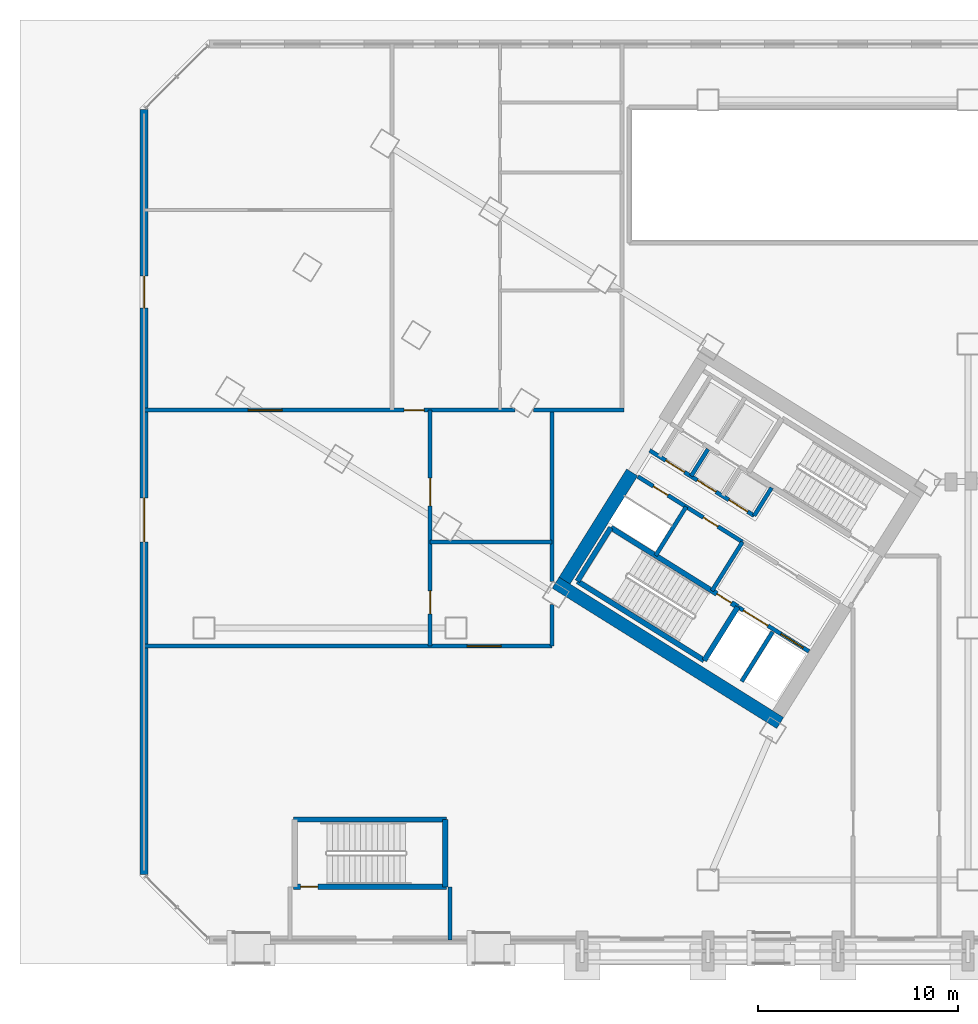
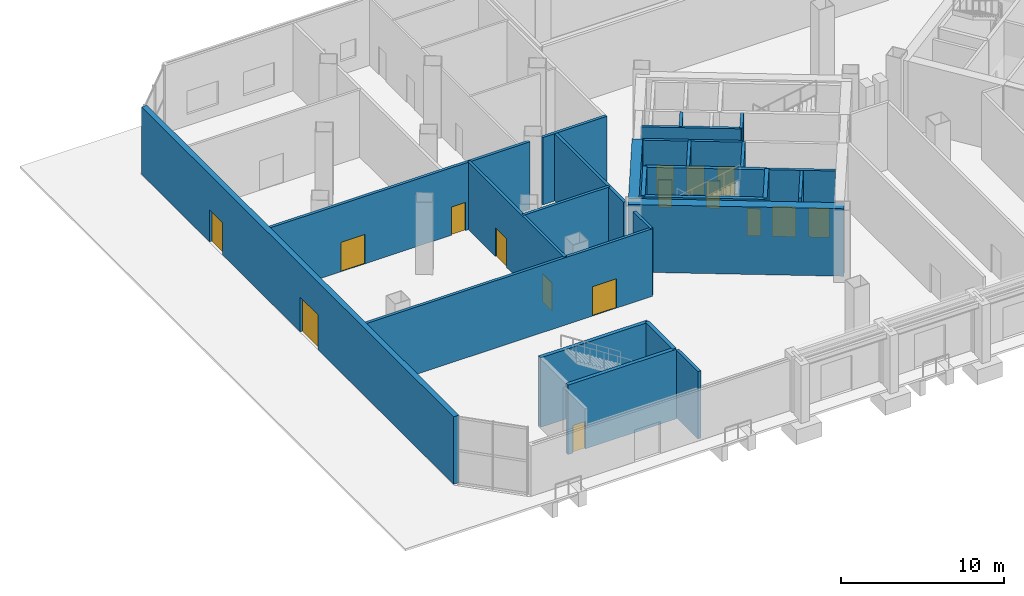
# One storey, part 10 of 22: 26 walls, 16 doors, 16 openings.
"""IFC4 building model written with IfcOpenShell, lengths in metres."""

from ifc_helpers import new_model, si_unit, direction, frame, frame_2d, origin, place, context, subcontext, project, spatial, rectangle, extrude, source, transform, mapped, material, layer, layer_set, type_object, element, fill, save


model = new_model("IFC4")

# Units and contexts
model_context = context("Model", 3, precision=1e-05, world=origin(), true_north=direction((0.0, 1.0)))
body_context = subcontext(model_context, "Body", "Model", "MODEL_VIEW")
ifc_project = project(units=[si_unit("LENGTHUNIT", "METRE"), si_unit("AREAUNIT", "SQUARE_METRE"), si_unit("VOLUMEUNIT", "CUBIC_METRE"), si_unit("PLANEANGLEUNIT", "RADIAN"), si_unit("MASSUNIT", "GRAM", prefix="KILO")], contexts=[model_context])

# Site, building, storey
site_placement = place(None, origin())
site = spatial("IfcSite", under=ifc_project, at=site_placement, CompositionType="ELEMENT")
building_placement = place(site_placement, origin())
building = spatial("IfcBuilding", under=site, at=building_placement, Name="Tlacorven Tower", CompositionType="ELEMENT")
storey_placement = place(building_placement, origin())
storey = spatial("IfcBuildingStorey", under=building, at=storey_placement, Name="L00", CompositionType="ELEMENT", Elevation=0.0)

# Walls
ifc_material_1 = material(Name="Concrete C60/75", Category="concrete")
ifc_layer_1 = layer(ifc_material_1, 0.64990234375)
ifc_layer_set_1 = layer_set([ifc_layer_1], Name="Concrete C60/75")
wall_type_1 = type_object("IfcWallType", Name="WL-COR-650", PredefinedType="SHEAR", material=ifc_layer_set_1)
wall_1_placement = place(storey_placement, frame((33.40869140625, 12.449951171875, 0.0), z_axis=(0.0, 0.0, 1.0), x_axis=(-0.848051132073, 0.529914405721, 0.0)))
element("IfcWall", 1, at=wall_1_placement, inside=storey, type_object=wall_type_1, Name="L00 W core shear wall S2", PredefinedType="SHEAR", context=body_context, shape_type="SweptSolid", body=[
    extrude(rectangle(XDim=13.239990234375, YDim=0.64990234375, at=frame_2d((6.6201171875, 0.0))), origin(), (0.0, 0.0, 1.0), 5.050048828125),
])
wall_2_placement = place(storey_placement, frame((26.006591796875, 24.975830078125, 0.0), z_axis=(0.0, 0.0, 1.0), x_axis=(-0.529916319127, -0.848049936456, 0.0)))
element("IfcWall", 2, at=wall_2_placement, inside=storey, type_object=wall_type_1, Name="L00 W core end wall E2.2", PredefinedType="SHEAR", context=body_context, shape_type="SweptSolid", body=[
    extrude(rectangle(XDim=6.375, YDim=0.64990234375, at=frame_2d((3.1875, 0.0))), origin(), (0.0, 0.0, 1.0), 5.050048828125),
])

# Wall, openings, doors
ifc_material_2 = material(Name="Precast concrete C45/55", Category="concrete")
ifc_layer_2 = layer(ifc_material_2, 0.3798828125)
ifc_layer_set_2 = layer_set([ifc_layer_2], Name="Precast concrete C45/55")
wall_type_2 = type_object("IfcWallType", Name="WL-EXT-380", PredefinedType="STANDARD", material=ifc_layer_set_2)
wall_3_placement = place(storey_placement, frame((1.60009765625, 4.8828125, 0.0), z_axis=(0.0, 0.0, 1.0), x_axis=(0.0, 1.0, 0.0)))
wall_3 = element("IfcWall", 3, at=wall_3_placement, inside=storey, type_object=wall_type_2, Name="L00 Podium Masonry-Frame Facade Wall 2", PredefinedType="STANDARD", context=body_context, shape_type="SweptSolid", body=[
    extrude(rectangle(XDim=38.234375, YDim=0.3798828125, at=frame_2d((19.1171875, 0.0))), origin(), (0.0, 0.0, 1.0), 5.050048828125),
])
opening_1_placement = place(wall_3_placement, frame((16.6171875, 0.0, 0.0)))
opening_1 = element("IfcOpeningElement", 4, at=opening_1_placement, cuts=wall_3, Name="Opening D02", PredefinedType="OPENING", context=body_context, shape_type="SweptSolid", body=[
    extrude(rectangle(XDim=2.199951171875, YDim=2.60009765625, at=frame_2d((1.10009765625, 1.300048828125))), frame((0.0, 0.199951171875, 0.0), z_axis=(0.0, -1.0, 0.0), x_axis=(1.0, 0.0, 0.0)), (0.0, 0.0, 1.0), 0.39990234375),
])
opening_2_placement = place(wall_3_placement, frame((28.317138671875, 0.0, 0.0)))
opening_2 = element("IfcOpeningElement", 5, at=opening_2_placement, cuts=wall_3, Name="Opening D03", PredefinedType="OPENING", context=body_context, shape_type="SweptSolid", body=[
    extrude(rectangle(XDim=1.60009765625, YDim=2.39990234375, at=frame_2d((0.800048828125, 1.199951171875))), frame((0.0, 0.199951171875, 0.0), z_axis=(0.0, -1.0, 0.0), x_axis=(1.0, 0.0, 0.0)), (0.0, 0.0, 1.0), 0.39990234375),
])
ifc_material_3 = material(Name="Powder-coated aluminium and timber door", Category="wood")
door_type_1 = type_object("IfcDoorType", Name="DR-EXT-ENTR-2200", OperationType="DOUBLE_DOOR_SINGLE_SWING", PredefinedType="DOOR", material=ifc_material_3)
shared_shape_1 = source(origin(), body_context, "Body", "SweptSolid", [
    extrude(rectangle(XDim=2.199951171875, YDim=2.60009765625, at=frame_2d((1.10009765625, 1.300048828125))), frame((0.0, 0.02490234375, 0.0), z_axis=(0.0, -1.0, 0.0), x_axis=(1.0, 0.0, 0.0)), (0.0, 0.0, 1.0), 0.050048828125),
])
door_1_placement = place(opening_1_placement, origin())
door_1 = element("IfcDoor", 6, at=door_1_placement, inside=storey, type_object=door_type_1, Name="L00 Residential Lobby Street Entrance", OperationType="DOUBLE_DOOR_SINGLE_SWING", OverallHeight=2.60009765625, OverallWidth=2.199951171875, PredefinedType="DOOR", context=body_context, shape_type="MappedRepresentation", body=[
    mapped(shared_shape_1, transform((0.0, 0.0, 0.0), scale=1.0)),
])
fill(opening_1, door_1)
door_type_2 = type_object("IfcDoorType", Name="DR-EXT-SHOP-1600", OperationType="DOUBLE_DOOR_SINGLE_SWING", PredefinedType="DOOR", material=ifc_material_3)
shared_shape_2 = source(origin(), body_context, "Body", "SweptSolid", [
    extrude(rectangle(XDim=1.60009765625, YDim=2.39990234375, at=frame_2d((0.800048828125, 1.199951171875))), frame((0.0, 0.02490234375, 0.0), z_axis=(0.0, -1.0, 0.0), x_axis=(1.0, 0.0, 0.0)), (0.0, 0.0, 1.0), 0.050048828125),
])
door_2_placement = place(opening_2_placement, origin())
door_2 = element("IfcDoor", 7, at=door_2_placement, inside=storey, type_object=door_type_2, Name="L00 Retail Shop 1 Street Entrance", OperationType="DOUBLE_DOOR_SINGLE_SWING", OverallHeight=2.39990234375, OverallWidth=1.60009765625, PredefinedType="DOOR", context=body_context, shape_type="MappedRepresentation", body=[
    mapped(shared_shape_2, transform((0.0, 0.0, 0.0), scale=1.0)),
])
fill(opening_2, door_2)

ifc_material_4 = material(Name="Concrete C40/50", Category="concrete")
ifc_layer_3 = layer(ifc_material_4, 0.199951171875)
ifc_layer_set_3 = layer_set([ifc_layer_3], Name="Concrete C40/50")
wall_type_3 = type_object("IfcWallType", Name="WL-SHF-200", PredefinedType="STANDARD", material=ifc_layer_set_3)
wall_4_placement = place(storey_placement, frame((34.84814453125, 16.03125, 0.0), z_axis=(0.0, 0.0, 1.0), x_axis=(-0.848044042236, 0.529925751807, 0.0)))
wall_4 = element("IfcWall", 8, at=wall_4_placement, inside=storey, type_object=wall_type_3, Name="L00 Core W Firefighting Lift Shaft Front Wall", PredefinedType="STANDARD", context=body_context, shape_type="SweptSolid", body=[
    extrude(rectangle(XDim=4.197998046875, YDim=0.199951171875, at=frame_2d((2.09912109375, 0.0))), origin(), (0.0, 0.0, 1.0), 5.0400390625),
])
opening_3_placement = place(wall_4_placement, frame((0.347900390625, 0.0, 0.0)))
opening_3 = element("IfcOpeningElement", 9, at=opening_3_placement, cuts=wall_4, Name="Opening LD03", PredefinedType="OPENING", context=body_context, shape_type="SweptSolid", body=[
    extrude(rectangle(XDim=1.300048828125, YDim=2.199951171875, at=frame_2d((0.64990234375, 1.10009765625))), frame((0.0, 0.10986328125, 0.0), z_axis=(0.0, -1.0, 0.0), x_axis=(1.0, 0.0, 0.0)), (0.0, 0.0, 1.0), 0.219970703125),
])
opening_4_placement = place(wall_4_placement, frame((2.423095703125, 0.0, 0.0)))
opening_4 = element("IfcOpeningElement", 10, at=opening_4_placement, cuts=wall_4, Name="Opening LD04", PredefinedType="OPENING", context=body_context, shape_type="SweptSolid", body=[
    extrude(rectangle(XDim=1.449951171875, YDim=2.25, at=frame_2d((0.72509765625, 1.125))), frame((0.0, 0.10986328125, 0.0), z_axis=(0.0, -1.0, 0.0), x_axis=(1.0, 0.0, 0.0)), (0.0, 0.0, 1.0), 0.219970703125),
])
ifc_material_5 = material(Name="Fire-rated steel door assembly", Category="steel")
door_type_3 = type_object("IfcDoorType", Name="DR-LFT-SLID-1300", OperationType="DOUBLE_DOOR_SLIDING", PredefinedType="DOOR", material=ifc_material_5)
shared_shape_3 = source(origin(), body_context, "Body", "SweptSolid", [
    extrude(rectangle(XDim=1.300048828125, YDim=2.199951171875, at=frame_2d((0.64990234375, 1.10009765625))), frame((0.0, 0.02490234375, 0.0), z_axis=(0.0, -1.0, 0.0), x_axis=(1.0, 0.0, 0.0)), (0.0, 0.0, 1.0), 0.050048828125),
])
door_3_placement = place(opening_3_placement, origin())
door_3 = element("IfcDoor", 11, at=door_3_placement, inside=storey, type_object=door_type_3, Name="L00 Lift FFL-W1 Sliding Landing Door", OperationType="DOUBLE_DOOR_SLIDING", OverallHeight=2.199951171875, OverallWidth=1.300048828125, PredefinedType="DOOR", context=body_context, shape_type="MappedRepresentation", body=[
    mapped(shared_shape_3, transform((0.0, 0.0, 0.0), scale=1.0)),
])
fill(opening_3, door_3)
door_type_4 = type_object("IfcDoorType", Name="DR-LFT-SLID-1450", OperationType="DOUBLE_DOOR_SLIDING", PredefinedType="DOOR", material=ifc_material_5)
shared_shape_4 = source(origin(), body_context, "Body", "SweptSolid", [
    extrude(rectangle(XDim=1.449951171875, YDim=2.25, at=frame_2d((0.72509765625, 1.125))), frame((0.0, 0.02490234375, 0.0), z_axis=(0.0, -1.0, 0.0), x_axis=(1.0, 0.0, 0.0)), (0.0, 0.0, 1.0), 0.050048828125),
])
door_4_placement = place(opening_4_placement, origin())
door_4 = element("IfcDoor", 12, at=door_4_placement, inside=storey, type_object=door_type_4, Name="L00 Lift SVL-W1 Sliding Landing Door", OperationType="DOUBLE_DOOR_SLIDING", OverallHeight=2.25, OverallWidth=1.449951171875, PredefinedType="DOOR", context=body_context, shape_type="MappedRepresentation", body=[
    mapped(shared_shape_4, transform((0.0, 0.0, 0.0), scale=1.0)),
])
fill(opening_4, door_4)

wall_5_placement = place(storey_placement, frame((32.108154296875, 22.81396484375, 0.0), z_axis=(0.0, 0.0, 1.0), x_axis=(-0.848047283855, 0.529920564185, 0.0)))
wall_5 = element("IfcWall", 13, at=wall_5_placement, inside=storey, type_object=wall_type_3, Name="L00 partition 11", PredefinedType="STANDARD", context=body_context, shape_type="SweptSolid", body=[
    extrude(rectangle(XDim=6.16015625, YDim=0.199951171875, at=frame_2d((3.080078125, 0.0))), origin(), (0.0, 0.0, 1.0), 5.0400390625),
])
opening_5_placement = place(wall_5_placement, frame((0.389892578125, 0.0, 0.0)))
opening_5 = element("IfcOpeningElement", 14, at=opening_5_placement, cuts=wall_5, Name="Opening LD01", PredefinedType="OPENING", context=body_context, shape_type="SweptSolid", body=[
    extrude(rectangle(XDim=1.10009765625, YDim=2.14990234375, at=frame_2d((0.550048828125, 1.074951171875))), frame((0.0, 0.10986328125, 0.0), z_axis=(0.0, -1.0, 0.0), x_axis=(1.0, 0.0, 0.0)), (0.0, 0.0, 1.0), 0.219970703125),
])
opening_6_placement = place(wall_5_placement, frame((2.25, 0.0, 0.0)))
opening_6 = element("IfcOpeningElement", 15, at=opening_6_placement, cuts=wall_5, Name="Opening LD01", PredefinedType="OPENING", context=body_context, shape_type="SweptSolid", body=[
    extrude(rectangle(XDim=1.10009765625, YDim=2.14990234375, at=frame_2d((0.550048828125, 1.074951171875))), frame((0.0, 0.10986328125, 0.0), z_axis=(0.0, -1.0, 0.0), x_axis=(1.0, 0.0, 0.0)), (0.0, 0.0, 1.0), 0.219970703125),
])
opening_7_placement = place(wall_5_placement, frame((4.110107421875, 0.0, 0.0)))
opening_7 = element("IfcOpeningElement", 16, at=opening_7_placement, cuts=wall_5, Name="Opening LD01", PredefinedType="OPENING", context=body_context, shape_type="SweptSolid", body=[
    extrude(rectangle(XDim=1.10009765625, YDim=2.14990234375, at=frame_2d((0.550048828125, 1.074951171875))), frame((0.0, 0.10986328125, 0.0), z_axis=(0.0, -1.0, 0.0), x_axis=(1.0, 0.0, 0.0)), (0.0, 0.0, 1.0), 0.219970703125),
])
door_type_5 = type_object("IfcDoorType", Name="DR-LFT-SLID-1100", OperationType="DOUBLE_DOOR_SLIDING", PredefinedType="DOOR", material=ifc_material_5)
shared_shape_5 = source(origin(), body_context, "Body", "SweptSolid", [
    extrude(rectangle(XDim=1.10009765625, YDim=2.14990234375, at=frame_2d((0.550048828125, 1.074951171875))), frame((0.0, 0.02490234375, 0.0), z_axis=(0.0, -1.0, 0.0), x_axis=(1.0, 0.0, 0.0)), (0.0, 0.0, 1.0), 0.050048828125),
])
door_5_placement = place(opening_5_placement, origin())
door_5 = element("IfcDoor", 17, at=door_5_placement, inside=storey, type_object=door_type_5, Name="L00 Lift PL-M1 Sliding Landing Door", OperationType="DOUBLE_DOOR_SLIDING", OverallHeight=2.14990234375, OverallWidth=1.10009765625, PredefinedType="DOOR", context=body_context, shape_type="MappedRepresentation", body=[
    mapped(shared_shape_5, transform((0.0, 0.0, 0.0), scale=1.0)),
])
fill(opening_5, door_5)
door_6_placement = place(opening_6_placement, origin())
door_6 = element("IfcDoor", 18, at=door_6_placement, inside=storey, type_object=door_type_5, Name="L00 Lift PL-M2 Sliding Landing Door", OperationType="DOUBLE_DOOR_SLIDING", OverallHeight=2.14990234375, OverallWidth=1.10009765625, PredefinedType="DOOR", context=body_context, shape_type="MappedRepresentation", body=[
    mapped(shared_shape_5, transform((0.0, 0.0, 0.0), scale=1.0)),
])
fill(opening_6, door_6)
door_7_placement = place(opening_7_placement, origin())
door_7 = element("IfcDoor", 19, at=door_7_placement, inside=storey, type_object=door_type_5, Name="L00 Lift PL-M3 Sliding Landing Door", OperationType="DOUBLE_DOOR_SLIDING", OverallHeight=2.14990234375, OverallWidth=1.10009765625, PredefinedType="DOOR", context=body_context, shape_type="MappedRepresentation", body=[
    mapped(shared_shape_5, transform((0.0, 0.0, 0.0), scale=1.0)),
])
fill(opening_7, door_7)

# Walls
wall_6_placement = place(storey_placement, frame((32.982421875, 24.21337890625, 0.0), z_axis=(0.0, 0.0, 1.0), x_axis=(-0.529839334948, -0.84809803628, 0.0)))
element("IfcWall", 20, at=wall_6_placement, inside=storey, type_object=wall_type_3, Name="L00 partition 12", PredefinedType="STANDARD", context=body_context, shape_type="SweptSolid", body=[
    extrude(rectangle(XDim=1.650146484375, YDim=0.199951171875, at=frame_2d((0.8251953125, 0.0))), origin(), (0.0, 0.0, 1.0), 5.0400390625),
])
wall_7_placement = place(storey_placement, frame((33.02880859375, 17.003173828125, 0.0), z_axis=(0.0, 0.0, 1.0), x_axis=(-0.529916267533, -0.848049968695, 0.0)))
element("IfcWall", 21, at=wall_7_placement, inside=storey, type_object=wall_type_3, Name="L00 partition 13", PredefinedType="STANDARD", context=body_context, shape_type="SweptSolid", body=[
    extrude(rectangle(XDim=2.919921875, YDim=0.199951171875, at=frame_2d((1.4599609375, 0.0))), origin(), (0.0, 0.0, 1.0), 5.0400390625),
])
wall_8_placement = place(storey_placement, frame((29.80126953125, 26.14208984375, 0.0), z_axis=(0.0, 0.0, 1.0), x_axis=(-0.529998940003, -0.847998304005, 0.0)))
element("IfcWall", 22, at=wall_8_placement, inside=storey, type_object=wall_type_3, Name="L00 partition 19", PredefinedType="STANDARD", context=body_context, shape_type="SweptSolid", body=[
    extrude(rectangle(XDim=1.580078125, YDim=0.199951171875, at=frame_2d((0.7900390625, 0.0))), origin(), (0.0, 0.0, 1.0), 5.0400390625),
])
for number, where, z_axis, x_axis, name in (
    (23, (31.525146484375, 21.503662109375, 0.0), (0.0, 0.0, 1.0), (-0.529907497854, -0.848055448493, 0.0), "L00 partition 21"),
    (24, (28.709716796875, 23.26318359375, 0.0), (0.0, 0.0, 1.0), (-0.529907497854, -0.848055448493, 0.0), "L00 partition 22"),
):
    element("IfcWall", number, at=place(storey_placement, frame(where, z_axis=z_axis, x_axis=x_axis)), inside=storey, type_object=wall_type_3, Name=name, PredefinedType="STANDARD", context=body_context, shape_type="SweptSolid", body=[
        extrude(rectangle(XDim=2.8798828125, YDim=0.199951171875, at=frame_2d((1.43994140625, 0.0))), origin(), (0.0, 0.0, 1.0), 5.0400390625),
    ])

# Wall, openings, doors
wall_9_placement = place(storey_placement, frame((31.525146484375, 21.503662109375, 0.0), z_axis=(0.0, 0.0, 1.0), x_axis=(-0.848044998614, 0.529924221305, 0.0)))
wall_9 = element("IfcWall", 25, at=wall_9_placement, inside=storey, type_object=wall_type_3, Name="L00 Core W North Service Wall", PredefinedType="STANDARD", context=body_context, shape_type="SweptSolid", body=[
    extrude(rectangle(XDim=6.16796875, YDim=0.199951171875, at=frame_2d((3.083984375, 0.0))), origin(), (0.0, 0.0, 1.0), 5.0400390625),
])
opening_8_placement = place(wall_9_placement, frame((4.39990234375, 0.0, 0.0)))
opening_8 = element("IfcOpeningElement", 26, at=opening_8_placement, cuts=wall_9, Name="Opening D19", PredefinedType="OPENING", context=body_context, shape_type="SweptSolid", body=[
    extrude(rectangle(XDim=0.860107421875, YDim=2.050048828125, at=frame_2d((0.43017578125, 1.02490234375))), frame((0.0, 0.10986328125, 0.0), z_axis=(0.0, -1.0, 0.0), x_axis=(1.0, 0.0, 0.0)), (0.0, 0.0, 1.0), 0.219970703125),
])
opening_9_placement = place(wall_9_placement, frame((1.449951171875, 0.0, 0.0)))
opening_9 = element("IfcOpeningElement", 27, at=opening_9_placement, cuts=wall_9, Name="Opening D19", PredefinedType="OPENING", context=body_context, shape_type="SweptSolid", body=[
    extrude(rectangle(XDim=0.860107421875, YDim=2.050048828125, at=frame_2d((0.43017578125, 1.02490234375))), frame((0.0, 0.10986328125, 0.0), z_axis=(0.0, -1.0, 0.0), x_axis=(1.0, 0.0, 0.0)), (0.0, 0.0, 1.0), 0.219970703125),
])
door_type_6 = type_object("IfcDoorType", Name="DR-RSR-FD60-0860", OperationType="NOTDEFINED", PredefinedType="DOOR", material=ifc_material_5)
shared_shape_6 = source(origin(), body_context, "Body", "SweptSolid", [
    extrude(rectangle(XDim=0.860107421875, YDim=2.050048828125, at=frame_2d((0.43017578125, 1.02490234375))), frame((0.0, 0.02490234375, 0.0), z_axis=(0.0, -1.0, 0.0), x_axis=(1.0, 0.0, 0.0)), (0.0, 0.0, 1.0), 0.050048828125),
])
door_8_placement = place(opening_8_placement, frame((0.860107421875, 0.0, 0.0), z_axis=(0.0, 0.0, 1.0), x_axis=(-1.0, 0.0, 0.0)))
door_8 = element("IfcDoor", 28, at=door_8_placement, inside=storey, type_object=door_type_6, Name="L00 Electrical Riser Access Door W", OperationType="SINGLE_SWING_LEFT", OverallHeight=2.050048828125, OverallWidth=0.860107421875, PredefinedType="DOOR", context=body_context, shape_type="MappedRepresentation", body=[
    mapped(shared_shape_6, transform((0.0, 0.0, 0.0), scale=1.0)),
])
fill(opening_8, door_8)
door_9_placement = place(opening_9_placement, frame((0.860107421875, 0.0, 0.0), z_axis=(0.0, 0.0, 1.0), x_axis=(-1.0, 0.0, 0.0)))
door_9 = element("IfcDoor", 29, at=door_9_placement, inside=storey, type_object=door_type_6, Name="L00 Housekeeping Linen Access Door W", OperationType="SINGLE_SWING_RIGHT", OverallHeight=2.050048828125, OverallWidth=0.860107421875, PredefinedType="DOOR", context=body_context, shape_type="MappedRepresentation", body=[
    mapped(shared_shape_6, transform((0.0, 0.0, 0.0), scale=1.0)),
])
fill(opening_9, door_9)

# Wall, opening, door
wall_10_placement = place(storey_placement, frame((1.60009765625, 16.300048828125, 0.0), z_axis=(0.0, 0.0, 1.0), x_axis=(1.0, 0.0, 0.0)))
wall_10 = element("IfcWall", 30, at=wall_10_placement, inside=storey, type_object=wall_type_3, Name="L00 partition 68", PredefinedType="STANDARD", context=body_context, shape_type="SweptSolid", body=[
    extrude(rectangle(XDim=20.39990234375, YDim=0.199951171875, at=frame_2d((10.199951171875, 0.0))), origin(), (0.0, 0.0, 1.0), 5.0400390625),
])
opening_10_placement = place(wall_10_placement, frame((16.159912109375, 0.0, 0.0)))
opening_10 = element("IfcOpeningElement", 31, at=opening_10_placement, cuts=wall_10, Name="Opening D17", PredefinedType="OPENING", context=body_context, shape_type="SweptSolid", body=[
    extrude(rectangle(XDim=1.699951171875, YDim=2.199951171875, at=frame_2d((0.85009765625, 1.10009765625))), frame((0.0, 0.10986328125, 0.0), z_axis=(0.0, -1.0, 0.0), x_axis=(1.0, 0.0, 0.0)), (0.0, 0.0, 1.0), 0.219970703125),
])
door_type_7 = type_object("IfcDoorType", Name="DR-COM-HALL-1700", OperationType="DOUBLE_DOOR_SINGLE_SWING", PredefinedType="DOOR", material=ifc_material_5)
shared_shape_7 = source(origin(), body_context, "Body", "SweptSolid", [
    extrude(rectangle(XDim=1.699951171875, YDim=2.199951171875, at=frame_2d((0.85009765625, 1.10009765625))), frame((0.0, 0.02490234375, 0.0), z_axis=(0.0, -1.0, 0.0), x_axis=(1.0, 0.0, 0.0)), (0.0, 0.0, 1.0), 0.050048828125),
])
door_10_placement = place(opening_10_placement, origin())
door_10 = element("IfcDoor", 32, at=door_10_placement, inside=storey, type_object=door_type_7, Name="L00 door 031", OperationType="DOUBLE_DOOR_SINGLE_SWING", OverallHeight=2.199951171875, OverallWidth=1.699951171875, PredefinedType="DOOR", context=body_context, shape_type="MappedRepresentation", body=[
    mapped(shared_shape_7, transform((0.0, 0.0, 0.0), scale=1.0)),
])
fill(opening_10, door_10)

# Wall, openings, doors
wall_11_placement = place(storey_placement, frame((15.89990234375, 16.300048828125, 0.0), z_axis=(0.0, 0.0, 1.0), x_axis=(0.0, 1.0, 0.0)))
wall_11 = element("IfcWall", 33, at=wall_11_placement, inside=storey, type_object=wall_type_3, Name="L00 partition 69", PredefinedType="STANDARD", context=body_context, shape_type="SweptSolid", body=[
    extrude(rectangle(XDim=11.800048828125, YDim=0.199951171875, at=frame_2d((5.89990234375, 0.0))), origin(), (0.0, 0.0, 1.0), 5.0400390625),
])
opening_11_placement = place(wall_11_placement, frame((1.60009765625, 0.0, 0.0)))
opening_11 = element("IfcOpeningElement", 34, at=opening_11_placement, cuts=wall_11, Name="Opening D09", PredefinedType="OPENING", context=body_context, shape_type="SweptSolid", body=[
    extrude(rectangle(XDim=1.14990234375, YDim=2.10009765625, at=frame_2d((0.574951171875, 1.050048828125))), frame((0.0, 0.10986328125, 0.0), z_axis=(0.0, -1.0, 0.0), x_axis=(1.0, 0.0, 0.0)), (0.0, 0.0, 1.0), 0.219970703125),
])
opening_12_placement = place(wall_11_placement, frame((7.0, 0.0, 0.0)))
opening_12 = element("IfcOpeningElement", 35, at=opening_12_placement, cuts=wall_11, Name="Opening D16", PredefinedType="OPENING", context=body_context, shape_type="SweptSolid", body=[
    extrude(rectangle(XDim=1.39990234375, YDim=2.14990234375, at=frame_2d((0.699951171875, 1.074951171875))), frame((0.0, 0.10986328125, 0.0), z_axis=(0.0, -1.0, 0.0), x_axis=(1.0, 0.0, 0.0)), (0.0, 0.0, 1.0), 0.219970703125),
])
door_type_8 = type_object("IfcDoorType", Name="DR-FFL-FD60-1150", OperationType="NOTDEFINED", PredefinedType="DOOR", material=ifc_material_5)
shared_shape_8 = source(origin(), body_context, "Body", "SweptSolid", [
    extrude(rectangle(XDim=1.14990234375, YDim=2.10009765625, at=frame_2d((0.574951171875, 1.050048828125))), frame((0.0, 0.02490234375, 0.0), z_axis=(0.0, -1.0, 0.0), x_axis=(1.0, 0.0, 0.0)), (0.0, 0.0, 1.0), 0.050048828125),
])
door_11_placement = place(opening_11_placement, origin())
door_11 = element("IfcDoor", 36, at=door_11_placement, inside=storey, type_object=door_type_8, Name="L00 door 032", OperationType="SINGLE_SWING_RIGHT", OverallHeight=2.10009765625, OverallWidth=1.14990234375, PredefinedType="DOOR", context=body_context, shape_type="MappedRepresentation", body=[
    mapped(shared_shape_8, transform((0.0, 0.0, 0.0), scale=1.0)),
])
fill(opening_11, door_11)
door_type_9 = type_object("IfcDoorType", Name="DR-CLN-IMAG-1400", OperationType="DOUBLE_DOOR_SINGLE_SWING", PredefinedType="DOOR", material=ifc_material_5)
shared_shape_9 = source(origin(), body_context, "Body", "SweptSolid", [
    extrude(rectangle(XDim=1.39990234375, YDim=2.14990234375, at=frame_2d((0.699951171875, 1.074951171875))), frame((0.0, 0.02490234375, 0.0), z_axis=(0.0, -1.0, 0.0), x_axis=(1.0, 0.0, 0.0)), (0.0, 0.0, 1.0), 0.050048828125),
])
door_12_placement = place(opening_12_placement, origin())
door_12 = element("IfcDoor", 37, at=door_12_placement, inside=storey, type_object=door_type_9, Name="L00 door 033", OperationType="DOUBLE_DOOR_SINGLE_SWING", OverallHeight=2.14990234375, OverallWidth=1.39990234375, PredefinedType="DOOR", context=body_context, shape_type="MappedRepresentation", body=[
    mapped(shared_shape_9, transform((0.0, 0.0, 0.0), scale=1.0)),
])
fill(opening_12, door_12)

wall_12_placement = place(storey_placement, frame((1.60009765625, 28.10009765625, 0.0), z_axis=(0.0, 0.0, 1.0), x_axis=(1.0, 0.0, 0.0)))
wall_12 = element("IfcWall", 38, at=wall_12_placement, inside=storey, type_object=wall_type_3, Name="L00 partition 70", PredefinedType="STANDARD", context=body_context, shape_type="SweptSolid", body=[
    extrude(rectangle(XDim=18.5537109375, YDim=0.199951171875, at=frame_2d((9.27685546875, 0.0))), origin(), (0.0, 0.0, 1.0), 5.0400390625),
])
opening_13_placement = place(wall_12_placement, frame((5.199951171875, 0.0, 0.0)))
opening_13 = element("IfcOpeningElement", 39, at=opening_13_placement, cuts=wall_12, Name="Opening D17", PredefinedType="OPENING", context=body_context, shape_type="SweptSolid", body=[
    extrude(rectangle(XDim=1.699951171875, YDim=2.199951171875, at=frame_2d((0.85009765625, 1.10009765625))), frame((0.0, 0.10986328125, 0.0), z_axis=(0.0, -1.0, 0.0), x_axis=(1.0, 0.0, 0.0)), (0.0, 0.0, 1.0), 0.219970703125),
])
opening_14_placement = place(wall_12_placement, frame((13.0, 0.0, 0.0)))
opening_14 = element("IfcOpeningElement", 40, at=opening_14_placement, cuts=wall_12, Name="Opening D11", PredefinedType="OPENING", context=body_context, shape_type="SweptSolid", body=[
    extrude(rectangle(XDim=1.0, YDim=2.10009765625, at=frame_2d((0.5, 1.050048828125))), frame((0.0, 0.10986328125, 0.0), z_axis=(0.0, -1.0, 0.0), x_axis=(1.0, 0.0, 0.0)), (0.0, 0.0, 1.0), 0.219970703125),
])
door_13_placement = place(opening_13_placement, origin())
door_13 = element("IfcDoor", 41, at=door_13_placement, inside=storey, type_object=door_type_7, Name="L00 door 034", OperationType="DOUBLE_DOOR_SINGLE_SWING", OverallHeight=2.199951171875, OverallWidth=1.699951171875, PredefinedType="DOOR", context=body_context, shape_type="MappedRepresentation", body=[
    mapped(shared_shape_7, transform((0.0, 0.0, 0.0), scale=1.0)),
])
fill(opening_13, door_13)
door_type_10 = type_object("IfcDoorType", Name="DR-FLT-FD60-1000", OperationType="NOTDEFINED", PredefinedType="DOOR", material=ifc_material_5)
shared_shape_10 = source(origin(), body_context, "Body", "SweptSolid", [
    extrude(rectangle(XDim=1.0, YDim=2.10009765625, at=frame_2d((0.5, 1.050048828125))), frame((0.0, 0.02490234375, 0.0), z_axis=(0.0, -1.0, 0.0), x_axis=(1.0, 0.0, 0.0)), (0.0, 0.0, 1.0), 0.050048828125),
])
door_14_placement = place(opening_14_placement, origin())
door_14 = element("IfcDoor", 42, at=door_14_placement, inside=storey, type_object=door_type_10, Name="L00 door 036", OperationType="SINGLE_SWING_LEFT", OverallHeight=2.10009765625, OverallWidth=1.0, PredefinedType="DOOR", context=body_context, shape_type="MappedRepresentation", body=[
    mapped(shared_shape_10, transform((0.0, 0.0, 0.0), scale=1.0)),
])
fill(opening_14, door_14)

# Walls
wall_13_placement = place(storey_placement, frame((21.06298828125, 28.10009765625, 0.0), z_axis=(0.0, 0.0, 1.0), x_axis=(1.0, 0.0, 0.0)))
element("IfcWall", 43, at=wall_13_placement, inside=storey, type_object=wall_type_3, Name="L00 partition 70", PredefinedType="STANDARD", context=body_context, shape_type="SweptSolid", body=[
    extrude(rectangle(XDim=4.537109375, YDim=0.199951171875, at=frame_2d((2.2685546875, 0.0))), origin(), (0.0, 0.0, 1.0), 5.0400390625),
])
wall_14_placement = place(storey_placement, frame((22.0, 16.300048828125, 0.0), z_axis=(0.0, 0.0, 1.0), x_axis=(0.0, 1.0, 0.0)))
element("IfcWall", 44, at=wall_14_placement, inside=storey, type_object=wall_type_3, Name="L00 partition 71", PredefinedType="STANDARD", context=body_context, shape_type="SweptSolid", body=[
    extrude(rectangle(XDim=2.08544921875, YDim=0.199951171875, at=frame_2d((1.042724609375, 0.0))), origin(), (0.0, 0.0, 1.0), 5.0400390625),
])
wall_15_placement = place(storey_placement, frame((22.0, 19.5302734375, 0.0), z_axis=(0.0, 0.0, 1.0), x_axis=(0.0, 1.0, 0.0)))
element("IfcWall", 45, at=wall_15_placement, inside=storey, type_object=wall_type_3, Name="L00 partition 71", PredefinedType="STANDARD", context=body_context, shape_type="SweptSolid", body=[
    extrude(rectangle(XDim=8.56982421875, YDim=0.199951171875, at=frame_2d((4.284912109375, 0.0))), origin(), (0.0, 0.0, 1.0), 5.0400390625),
])
wall_16_placement = place(storey_placement, frame((15.89990234375, 21.5, 0.0), z_axis=(0.0, 0.0, 1.0), x_axis=(1.0, 0.0, 0.0)))
element("IfcWall", 46, at=wall_16_placement, inside=storey, type_object=wall_type_3, Name="L00 partition 72", PredefinedType="STANDARD", context=body_context, shape_type="SweptSolid", body=[
    extrude(rectangle(XDim=6.10009765625, YDim=0.199951171875, at=frame_2d((3.050048828125, 0.0))), origin(), (0.0, 0.0, 1.0), 5.0400390625),
])
wall_17_placement = place(storey_placement, frame((16.89990234375, 1.60009765625, 0.0), z_axis=(0.0, 0.0, 1.0), x_axis=(0.0, 1.0, 0.0)))
element("IfcWall", 47, at=wall_17_placement, inside=storey, type_object=wall_type_3, Name="L00 partition 81", PredefinedType="STANDARD", context=body_context, shape_type="SweptSolid", body=[
    extrude(rectangle(XDim=2.659912109375, YDim=0.199951171875, at=frame_2d((1.330078125, 0.0))), origin(), (0.0, 0.0, 1.0), 5.0400390625),
])
ifc_material_6 = material(Name="Concrete C50/60", Category="concrete")
ifc_layer_4 = layer(ifc_material_6, 0.260009765625)
ifc_layer_set_4 = layer_set([ifc_layer_4], Name="Concrete C50/60")
wall_type_4 = type_object("IfcWallType", Name="WL-STW-260", PredefinedType="SHEAR", material=ifc_layer_set_4)
wall_18_placement = place(storey_placement, frame((29.60498046875, 15.581298828125, 0.0), z_axis=(0.0, 0.0, 1.0), x_axis=(-0.848036911448, 0.529937163087, 0.0)))
element("IfcWall", 48, at=wall_18_placement, inside=storey, type_object=wall_type_4, Name="L00 Stair W1 Far Shear Wall", PredefinedType="SHEAR", context=body_context, shape_type="SweptSolid", body=[
    extrude(rectangle(XDim=7.4599609375, YDim=0.260009765625, at=frame_2d((3.72998046875, 0.0))), origin(), (0.0, 0.0, 1.0), 5.050048828125),
])

# Wall, opening, door
wall_19_placement = place(storey_placement, frame((31.279541015625, 18.26123046875, 0.0), z_axis=(0.0, 0.0, 1.0), x_axis=(-0.848051618787, 0.529913626805, 0.0)))
wall_19 = element("IfcWall", 49, at=wall_19_placement, inside=storey, type_object=wall_type_4, Name="L00 Stair W1 Lobby Shear Wall", PredefinedType="SHEAR", context=body_context, shape_type="SweptSolid", body=[
    extrude(rectangle(XDim=7.4599609375, YDim=0.260009765625, at=frame_2d((3.72998046875, 0.0))), origin(), (0.0, 0.0, 1.0), 5.050048828125),
])
opening_15_placement = place(wall_19_placement, frame((0.360107421875, 0.0, 0.0)))
opening_15 = element("IfcOpeningElement", 50, at=opening_15_placement, cuts=wall_19, Name="Opening D19", PredefinedType="OPENING", context=body_context, shape_type="SweptSolid", body=[
    extrude(rectangle(XDim=0.860107421875, YDim=2.050048828125, at=frame_2d((0.43017578125, 1.02490234375))), frame((0.0, 0.14013671875, 0.0), z_axis=(0.0, -1.0, 0.0), x_axis=(1.0, 0.0, 0.0)), (0.0, 0.0, 1.0), 0.280029296875),
])
door_15_placement = place(opening_15_placement, frame((0.860107421875, 0.0, 0.0), z_axis=(0.0, 0.0, 1.0), x_axis=(-1.0, 0.0, 0.0)))
door_15 = element("IfcDoor", 51, at=door_15_placement, inside=storey, type_object=door_type_6, Name="L00 Exit Stair W1 Fire Door", OperationType="SINGLE_SWING_LEFT", OverallHeight=2.050048828125, OverallWidth=0.860107421875, PredefinedType="DOOR", context=body_context, shape_type="MappedRepresentation", body=[
    mapped(shared_shape_6, transform((0.0, 0.0, 0.0), scale=1.0)),
])
fill(opening_15, door_15)

# Walls
wall_20_placement = place(storey_placement, frame((31.2880859375, 18.255859375, 0.0), z_axis=(0.0, 0.0, 1.0), x_axis=(-0.529943379326, -0.848033026897, 0.0)))
element("IfcWall", 52, at=wall_20_placement, inside=storey, type_object=wall_type_4, Name="L00 Stair W1 West Shear Wall", PredefinedType="SHEAR", context=body_context, shape_type="SweptSolid", body=[
    extrude(rectangle(XDim=3.159912109375, YDim=0.260009765625, at=frame_2d((1.580078125, 0.0))), origin(), (0.0, 0.0, 1.0), 5.050048828125),
])
wall_21_placement = place(storey_placement, frame((24.944580078125, 22.2197265625, 0.0), z_axis=(0.0, 0.0, 1.0), x_axis=(-0.529908658664, -0.84805472316, 0.0)))
element("IfcWall", 53, at=wall_21_placement, inside=storey, type_object=wall_type_4, Name="L00 Stair W1 East Shear Wall", PredefinedType="SHEAR", context=body_context, shape_type="SweptSolid", body=[
    extrude(rectangle(XDim=3.16015625, YDim=0.260009765625, at=frame_2d((1.580078125, 0.0))), origin(), (0.0, 0.0, 1.0), 5.050048828125),
])
wall_22_placement = place(storey_placement, frame((9.070068359375, 7.6201171875, 0.0), z_axis=(0.0, 0.0, 1.0), x_axis=(1.0, 0.0, 0.0)))
element("IfcWall", 54, at=wall_22_placement, inside=storey, type_object=wall_type_4, Name="L00 Stair P1 North Wall", PredefinedType="SHEAR", context=body_context, shape_type="SweptSolid", body=[
    extrude(rectangle(XDim=7.659912109375, YDim=0.260009765625, at=frame_2d((3.830078125, 0.0))), origin(), (0.0, 0.0, 1.0), 5.199951171875),
])

# Wall, opening, door
wall_23_placement = place(storey_placement, frame((9.070068359375, 4.260009765625, 0.0), z_axis=(0.0, 0.0, 1.0), x_axis=(1.0, 0.0, 0.0)))
wall_23 = element("IfcWall", 55, at=wall_23_placement, inside=storey, type_object=wall_type_4, Name="L00 Stair P1 South Wall", PredefinedType="SHEAR", context=body_context, shape_type="SweptSolid", body=[
    extrude(rectangle(XDim=7.659912109375, YDim=0.260009765625, at=frame_2d((3.830078125, 0.0))), origin(), (0.0, 0.0, 1.0), 5.199951171875),
])
opening_16_placement = place(wall_23_placement, frame((0.360107421875, 0.0, 0.0)))
opening_16 = element("IfcOpeningElement", 56, at=opening_16_placement, cuts=wall_23, Name="Opening D19", PredefinedType="OPENING", context=body_context, shape_type="SweptSolid", body=[
    extrude(rectangle(XDim=0.860107421875, YDim=2.050048828125, at=frame_2d((0.43017578125, 1.02490234375))), frame((0.0, 0.14013671875, 0.0), z_axis=(0.0, -1.0, 0.0), x_axis=(1.0, 0.0, 0.0)), (0.0, 0.0, 1.0), 0.280029296875),
])
door_16_placement = place(opening_16_placement, frame((0.860107421875, 0.0, 0.0), z_axis=(0.0, 0.0, 1.0), x_axis=(-1.0, 0.0, 0.0)))
door_16 = element("IfcDoor", 57, at=door_16_placement, inside=storey, type_object=door_type_6, Name="L00 door 041", OperationType="SINGLE_SWING_LEFT", OverallHeight=2.050048828125, OverallWidth=0.860107421875, PredefinedType="DOOR", context=body_context, shape_type="MappedRepresentation", body=[
    mapped(shared_shape_6, transform((0.0, 0.0, 0.0), scale=1.0)),
])
fill(opening_16, door_16)

# Wall
wall_24_placement = place(storey_placement, frame((16.659912109375, 4.260009765625, 0.0), z_axis=(0.0, 0.0, 1.0), x_axis=(0.0, 1.0, 0.0)))
element("IfcWall", 58, at=wall_24_placement, inside=storey, type_object=wall_type_4, Name="L00 Stair P1 East Wall", PredefinedType="SHEAR", context=body_context, shape_type="SweptSolid", body=[
    extrude(rectangle(XDim=3.360107421875, YDim=0.260009765625, at=frame_2d((1.68017578125, 0.0))), origin(), (0.0, 0.0, 1.0), 5.199951171875),
])

save(model, "model.ifc")
